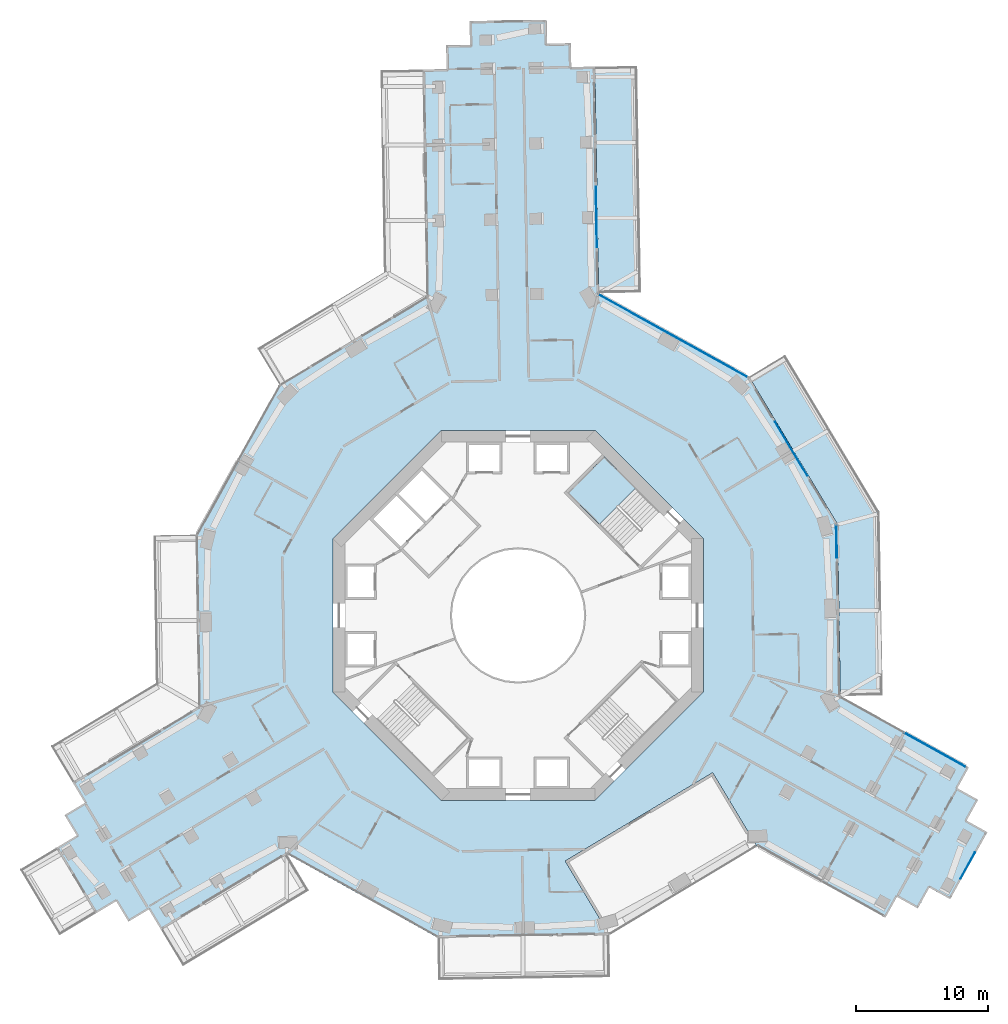
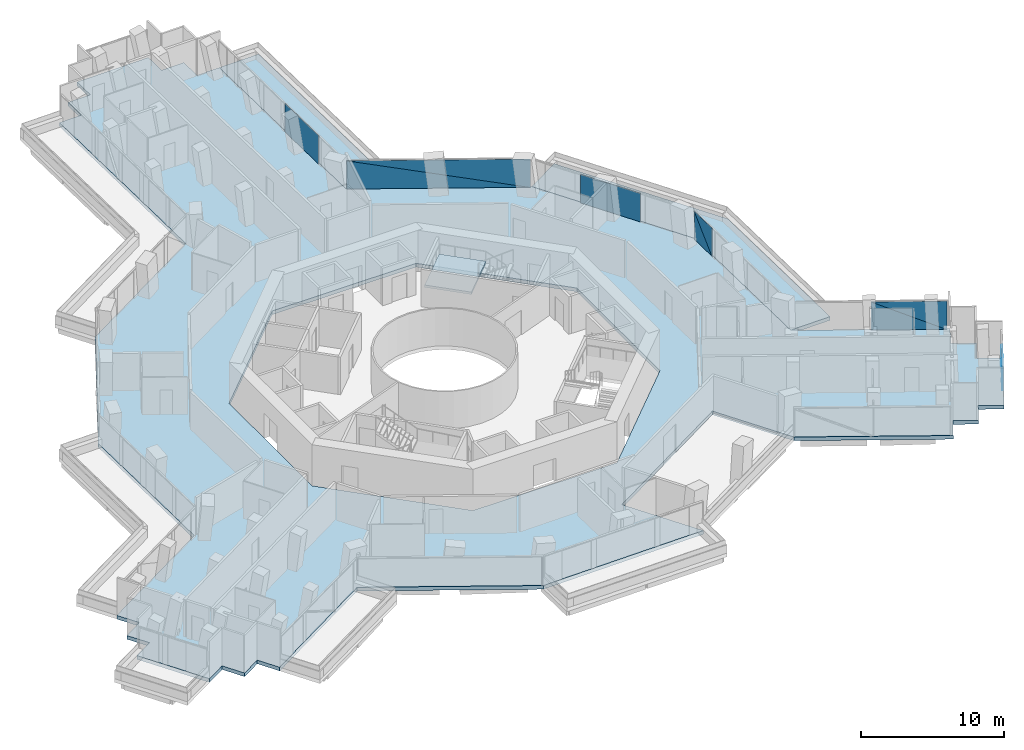
# One storey, part 16 of 25: 9 plates, 4 slabs, 7 elements without a shape of their own.
"""IFC4 building model written with IfcOpenShell, lengths in metres."""

from ifc_helpers import new_model, si_unit, direction, frame, origin, origin_2d, place, context, subcontext, project, spatial, polyline, rectangle, outline, extrude, material, layer, layer_set, type_object, element, aggregate, save


model = new_model("IFC4")

# Units and contexts
model_context = context("Model", 3, precision=1e-05, world=origin(), true_north=direction((0.0, 1.0)))
body_context = subcontext(model_context, "Body", "Model", "MODEL_VIEW")
ifc_project = project(units=[si_unit("LENGTHUNIT", "METRE"), si_unit("AREAUNIT", "SQUARE_METRE"), si_unit("VOLUMEUNIT", "CUBIC_METRE"), si_unit("PLANEANGLEUNIT", "RADIAN"), si_unit("MASSUNIT", "GRAM", prefix="KILO")], contexts=[model_context])

# Site, building, storey
site_placement = place(None, origin())
site = spatial("IfcSite", under=ifc_project, at=site_placement, CompositionType="ELEMENT")
building_placement = place(site_placement, origin())
building = spatial("IfcBuilding", under=site, at=building_placement, Name="Verdalira Terraces Hotel", CompositionType="ELEMENT")
storey_placement = place(building_placement, frame((0.0, 0.0, 39.0)))
storey = spatial("IfcBuildingStorey", under=building, at=storey_placement, Name="L07", CompositionType="ELEMENT", Elevation=39.0)

# Slabs
ifc_material_1 = material(Name="Precast concrete C40/50", Category="concrete")
ifc_layer_1 = layer(ifc_material_1, 0.31005859375)
ifc_layer_set_1 = layer_set([ifc_layer_1], Name="Balcony deck 310")
slab_type_1 = type_object("IfcSlabType", Name="Balcony deck 310", PredefinedType="FLOOR", material=ifc_layer_set_1)
slab_1_placement = place(storey_placement, frame((0.0, 0.0, -0.310059)))
element("IfcSlab", 1, at=slab_1_placement, inside=storey, type_object=slab_type_1, Name="Balcony deck", PredefinedType="FLOOR", context=body_context, shape_type="SweptSolid", body=[
    extrude(outline(polyline([(20.202393, 19.699463), (17.458252, 18.053467), (24.145996, 6.905518), (24.36377, -6.092773), (27.563477, -6.039062), (27.331299, 7.816406), (20.202393, 19.699463)])), origin(), (0.0, 0.0, 1.0), 0.310059),
])
slab_2_placement = place(storey_placement, frame((0.0, 0.0, -0.310059)))
element("IfcSlab", 2, at=slab_2_placement, inside=storey, type_object=slab_type_1, Name="Balcony deck", PredefinedType="FLOOR", context=body_context, shape_type="SweptSolid", body=[
    extrude(outline(polyline([(9.005371, 41.531982), (5.805908, 41.478271), (6.092773, 24.36377), (9.292236, 24.41748), (9.005371, 41.531982)])), origin(), (0.0, 0.0, 1.0), 0.310059),
])

# Curtain wall, plates
ifc_material_2 = material(Name="Clear glass", Category="glass")
ifc_layer_2 = layer(ifc_material_2, 0.14990234375)
ifc_layer_set_2 = layer_set([ifc_layer_2], Name="CW1 curtain wall")
curtain_wall_type_1 = type_object("IfcCurtainWallType", Name="CW1 curtain wall", PredefinedType="NOTDEFINED", material=ifc_layer_set_2)
curtain_wall_1_placement = place(storey_placement, origin())
curtain_wall_1 = element("IfcCurtainWall", 3, at=curtain_wall_1_placement, inside=storey, type_object=curtain_wall_type_1, Name="CW1 curtain wall L07 edge 39", PredefinedType="NOTDEFINED")
ifc_material_3 = material(Name="Clear glass", Category="glass")
ifc_layer_3 = layer(ifc_material_3, 0.028076171875)
ifc_layer_set_3 = layer_set([ifc_layer_3], Name="CW1 glass unit 28")
plate_type_1 = type_object("IfcPlateType", Name="CW1 glass unit 28", PredefinedType="CURTAIN_PANEL", material=ifc_layer_set_3)
plate_1_placement = place(storey_placement, frame((24.079346, 5.584473, 1.212402), z_axis=(0.999859636, 0.016754377, 0.0), x_axis=(-0.016754377, 0.999859636, 0.0)))
plate_1 = element("IfcPlate", 4, at=plate_1_placement, type_object=plate_type_1, Name="CW1 glass unit", PredefinedType="CURTAIN_PANEL", context=body_context, shape_type="SweptSolid", body=[
    extrude(outline(polyline([(-1.219727, -1.212402), (1.219727, -1.212402), (1.219727, 1.212402), (-1.219727, -1.212402)])), origin(), (0.0, 0.0, 1.0), 0.028076),
])
plate_2_placement = place(storey_placement, frame((24.050293, 5.583984, 1.212402), z_axis=(0.999859636, 0.016754377, 0.0), x_axis=(-0.016754377, 0.999859636, 0.0)))
plate_2 = element("IfcPlate", 5, at=plate_2_placement, type_object=plate_type_1, Name="CW1 glass unit", PredefinedType="CURTAIN_PANEL", context=body_context, shape_type="SweptSolid", body=[
    extrude(outline(polyline([(-1.219727, -1.212402), (1.219727, 1.212402), (-1.219727, 1.212402), (-1.219727, -1.212402)])), origin(), (0.0, 0.0, 1.0), 0.028076),
])
aggregate(curtain_wall_1, [plate_1, plate_2])

# Curtain wall, plate
curtain_wall_2_placement = place(storey_placement, origin())
curtain_wall_2 = element("IfcCurtainWall", 6, at=curtain_wall_2_placement, inside=storey, type_object=curtain_wall_type_1, Name="CW1 curtain wall L07 edge 40", PredefinedType="NOTDEFINED")
plate_3_placement = place(storey_placement, frame((20.645996, 12.593994, 0.0), z_axis=(0.0, 0.0, 1.0), x_axis=(-0.514439534, 0.857526656, 0.0)))
plate_3 = element("IfcPlate", 7, at=plate_3_placement, type_object=plate_type_1, Name="CW1 glass unit", PredefinedType="CURTAIN_PANEL", context=body_context, shape_type="SweptSolid", body=[
    extrude(rectangle(XDim=4.759277, YDim=0.028076, at=origin_2d()), origin(), (0.0, 0.0, 1.0), 2.425049),
])
aggregate(curtain_wall_2, [plate_3])

# Curtain wall, plates
curtain_wall_3_placement = place(storey_placement, origin())
curtain_wall_3 = element("IfcCurtainWall", 8, at=curtain_wall_3_placement, inside=storey, type_object=curtain_wall_type_1, Name="CW1 curtain wall L07 edge 41", PredefinedType="NOTDEFINED")
plate_4_placement = place(storey_placement, frame((11.7146, 21.140625, 1.212402), z_axis=(0.485420102, 0.874281033, 0.0), x_axis=(-0.874281033, 0.485420102, 0.0)))
plate_4 = element("IfcPlate", 9, at=plate_4_placement, type_object=plate_type_1, Name="CW1 glass unit", PredefinedType="CURTAIN_PANEL", context=body_context, shape_type="SweptSolid", body=[
    extrude(outline(polyline([(-6.419922, -1.212402), (6.419922, -1.212402), (6.419922, 1.212402), (-6.419922, -1.212402)])), origin(), (0.0, 0.0, 1.0), 0.028076),
])
plate_5_placement = place(storey_placement, frame((11.700439, 21.115234, 1.212402), z_axis=(0.485420102, 0.874281033, 0.0), x_axis=(-0.874281033, 0.485420102, 0.0)))
plate_5 = element("IfcPlate", 10, at=plate_5_placement, type_object=plate_type_1, Name="CW1 glass unit", PredefinedType="CURTAIN_PANEL", context=body_context, shape_type="SweptSolid", body=[
    extrude(outline(polyline([(-6.419922, -1.212402), (6.419922, 1.212402), (-6.419922, 1.212402), (-6.419922, -1.212402)])), origin(), (0.0, 0.0, 1.0), 0.028076),
])
aggregate(curtain_wall_3, [plate_4, plate_5])

# Curtain wall, plate
ifc_material_4 = material(Name="Clear glass", Category="glass")
ifc_layer_4 = layer(ifc_material_4, 0.14990234375)
ifc_layer_set_4 = layer_set([ifc_layer_4], Name="CW2 curtain wall")
curtain_wall_type_2 = type_object("IfcCurtainWallType", Name="CW2 curtain wall", PredefinedType="NOTDEFINED", material=ifc_layer_set_4)
curtain_wall_4_placement = place(storey_placement, origin())
curtain_wall_4 = element("IfcCurtainWall", 11, at=curtain_wall_4_placement, inside=storey, type_object=curtain_wall_type_2, Name="CW2 curtain wall L07 edge 0", PredefinedType="NOTDEFINED")
ifc_material_5 = material(Name="Clear glass", Category="glass")
ifc_layer_5 = layer(ifc_material_5, 0.031982421875)
ifc_layer_set_5 = layer_set([ifc_layer_5], Name="CW2 glass unit 32")
plate_type_2 = type_object("IfcPlateType", Name="CW2 glass unit 32", PredefinedType="CURTAIN_PANEL", material=ifc_layer_set_5)
plate_6_placement = place(storey_placement, frame((5.921143, 30.128418, 0.0), z_axis=(0.0, 0.0, 1.0), x_axis=(-0.016754377, 0.999859636, 0.0)))
plate_6 = element("IfcPlate", 12, at=plate_6_placement, type_object=plate_type_2, Name="CW2 glass unit", PredefinedType="CURTAIN_PANEL", context=body_context, shape_type="SweptSolid", body=[
    extrude(rectangle(XDim=4.589355, YDim=0.031982, at=origin_2d()), origin(), (0.0, 0.0, 1.0), 2.425049),
])
aggregate(curtain_wall_4, [plate_6])

# Curtain wall, plates
curtain_wall_5_placement = place(storey_placement, origin())
curtain_wall_5 = element("IfcCurtainWall", 13, at=curtain_wall_5_placement, inside=storey, type_object=curtain_wall_type_2, Name="CW2 curtain wall L07 edge 38", PredefinedType="NOTDEFINED")
plate_7_placement = place(storey_placement, frame((31.52832, -10.174561, 1.212402), z_axis=(0.485420102, 0.874281033, 0.0), x_axis=(-0.874281033, 0.485420102, 0.0)))
plate_7 = element("IfcPlate", 14, at=plate_7_placement, type_object=plate_type_2, Name="CW2 glass unit", PredefinedType="CURTAIN_PANEL", context=body_context, shape_type="SweptSolid", body=[
    extrude(outline(polyline([(-2.651855, -1.212402), (2.651855, -1.212402), (2.651855, 1.212402), (-2.651855, -1.212402)])), origin(), (0.0, 0.0, 1.0), 0.031982),
])
plate_8_placement = place(storey_placement, frame((31.512451, -10.203369, 1.212402), z_axis=(0.485420102, 0.874281033, 0.0), x_axis=(-0.874281033, 0.485420102, 0.0)))
plate_8 = element("IfcPlate", 15, at=plate_8_placement, type_object=plate_type_2, Name="CW2 glass unit", PredefinedType="CURTAIN_PANEL", context=body_context, shape_type="SweptSolid", body=[
    extrude(outline(polyline([(-2.651855, -1.212402), (2.651855, 1.212402), (-2.651855, 1.212402), (-2.651855, -1.212402)])), origin(), (0.0, 0.0, 1.0), 0.031982),
])
aggregate(curtain_wall_5, [plate_7, plate_8])

# Curtain wall, plate
ifc_material_6 = material(Name="Clear glass", Category="glass")
ifc_layer_6 = layer(ifc_material_6, 0.14990234375)
ifc_layer_set_6 = layer_set([ifc_layer_6], Name="CW3 curtain wall")
curtain_wall_type_3 = type_object("IfcCurtainWallType", Name="CW3 curtain wall", PredefinedType="NOTDEFINED", material=ifc_layer_set_6)
curtain_wall_6_placement = place(storey_placement, origin())
curtain_wall_6 = element("IfcCurtainWall", 16, at=curtain_wall_6_placement, inside=storey, type_object=curtain_wall_type_3, Name="CW3 curtain wall L07 edge 33", PredefinedType="NOTDEFINED")
ifc_material_7 = material(Name="Clear glass", Category="glass")
ifc_layer_7 = layer(ifc_material_7, 0.035888671875)
ifc_layer_set_7 = layer_set([ifc_layer_7], Name="CW3 glass unit 36")
plate_type_3 = type_object("IfcPlateType", Name="CW3 glass unit 36", PredefinedType="CURTAIN_PANEL", material=ifc_layer_set_7)
plate_9_placement = place(storey_placement, frame((33.991455, -18.916016, 0.0), z_axis=(0.0, 0.0, 1.0), x_axis=(0.485420102, 0.874281033, 0.0)))
plate_9 = element("IfcPlate", 17, at=plate_9_placement, type_object=plate_type_3, Name="CW3 glass unit", PredefinedType="CURTAIN_PANEL", context=body_context, shape_type="SweptSolid", body=[
    extrude(rectangle(XDim=2.255615, YDim=0.035889, at=origin_2d()), origin(), (0.0, 0.0, 1.0), 2.425049),
])
aggregate(curtain_wall_6, [plate_9])

# Stair, slab
ifc_material_8 = material(Name="Concrete C40", Category="concrete")
stair_type = type_object("IfcStairType", Name="Core stair 20 risers 1900 mm wide", PredefinedType="HALF_TURN_STAIR", material=ifc_material_8)
stair_placement = place(storey_placement, origin())
stair = element("IfcStair", 18, at=stair_placement, inside=storey, type_object=stair_type, Name="L07 Exit stair ST1", PredefinedType="HALF_TURN_STAIR")
ifc_material_9 = material(Name="Concrete C40", Category="concrete")
ifc_layer_8 = layer(ifc_material_9, 0.199951171875)
ifc_layer_set_8 = layer_set([ifc_layer_8], Name="Core stair landing 200 mm")
slab_type_2 = type_object("IfcSlabType", Name="Core stair landing 200 mm", PredefinedType="LANDING", material=ifc_layer_set_8)
slab_3_placement = place(storey_placement, frame((0.0, 0.0, 1.550049)))
slab_3 = element("IfcSlab", 19, at=slab_3_placement, type_object=slab_type_2, Name="ST1 landing 1", PredefinedType="LANDING", context=body_context, shape_type="SweptSolid", body=[
    extrude(outline(polyline([(8.895752, 9.630371), (6.505371, 12.020752), (3.747559, 9.263184), (6.137939, 6.872803), (8.895752, 9.630371)])), origin(), (0.0, 0.0, 1.0), 0.199951),
])
aggregate(stair, [slab_3])

# Slab
ifc_material_10 = material(Name="Concrete C40", Category="concrete")
ifc_layer_9 = layer(ifc_material_10, 0.31005859375)
ifc_layer_set_9 = layer_set([ifc_layer_9], Name="Floor slab 310 C40")
slab_type_3 = type_object("IfcSlabType", Name="Floor slab 310 C40", PredefinedType="FLOOR", material=ifc_layer_set_9)
slab_4_placement = place(storey_placement, frame((0.0, 0.0, -0.310059)))
element("IfcSlab", 20, at=slab_4_placement, inside=storey, type_object=slab_type_3, Name="Floor slab L07", PredefinedType="FLOOR", context=body_context, shape_type="SweptSolid", body=[
    extrude(outline(polyline([(-17.458252, -18.053467), (-6.092773, -24.36377), (6.904785, -24.145996), (3.561035, -18.572021), (14.709717, -11.883789), (18.054199, -17.458496), (18.053955, -17.458496), (27.772705, -22.854736), (28.646484, -21.281006), (30.220215, -22.154785), (31.093994, -20.581055), (32.66748, -21.454834), (35.483154, -16.384033), (33.90918, -15.510254), (34.783203, -13.936523), (33.209473, -13.062744), (34.083252, -11.489014), (24.36377, -6.092773), (24.145996, 6.905518), (17.458252, 18.053467), (6.092773, 24.36377), (5.805908, 41.478516), (4.006104, 41.448242), (3.976074, 43.248047), (2.17627, 43.217773), (2.145996, 45.017578), (-3.653076, 44.92041), (-3.623047, 43.120605), (-5.422607, 43.090576), (-5.392578, 41.290771), (-7.192383, 41.260498), (-6.905518, 24.145996), (-18.053467, 17.458252), (-24.36377, 6.092773), (-24.145996, -6.905518), (-33.679199, -12.624512), (-32.753174, -14.168213), (-34.296631, -15.093994), (-33.370605, -16.637695), (-34.914307, -17.563721), (-31.93042, -22.537109), (-30.386963, -21.611328), (-29.460938, -23.154785), (-27.91748, -22.22876), (-26.991455, -23.772461), (-17.458252, -18.053467)]), holes=[polyline([(5.799072, 14.0), (14.0, 5.799072), (14.0, -5.799072), (5.799072, -14.0), (-5.799072, -14.0), (-14.0, -5.799072), (-14.0, 5.799072), (-5.799072, 14.0), (5.799072, 14.0)])]), origin(), (0.0, 0.0, 1.0), 0.310059),
])

save(model, "model.ifc")
